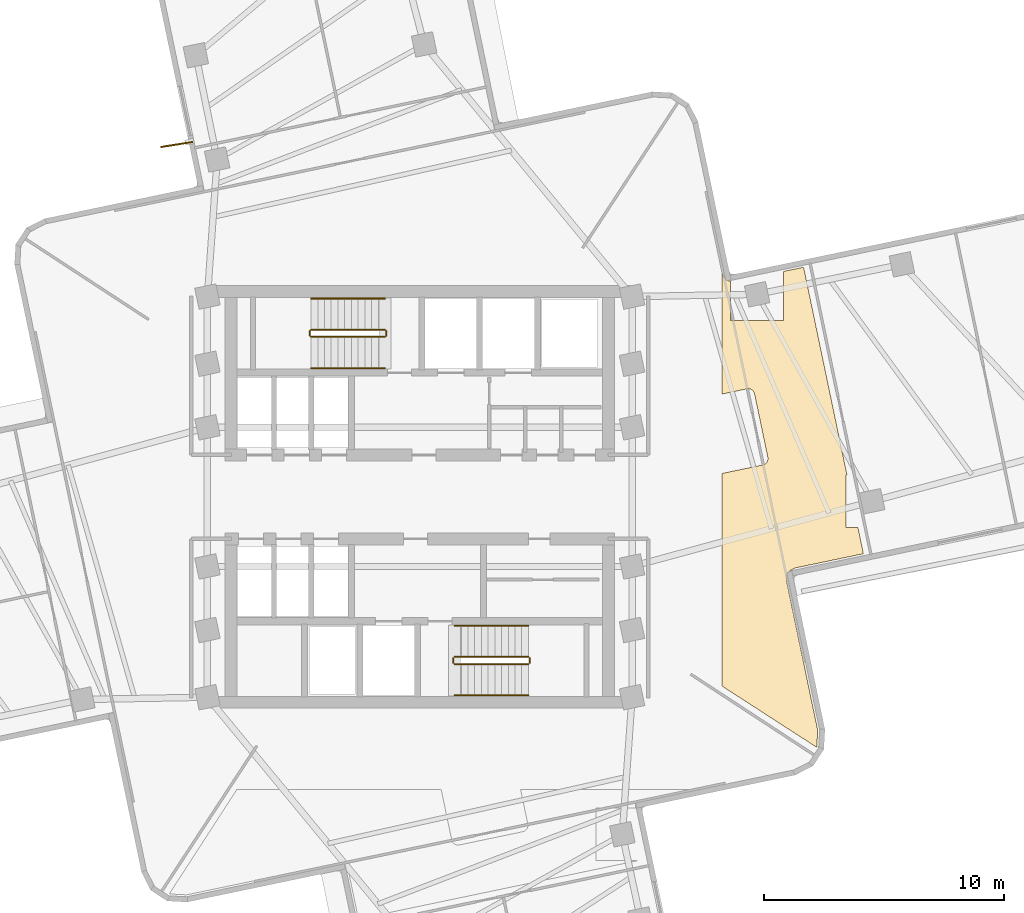
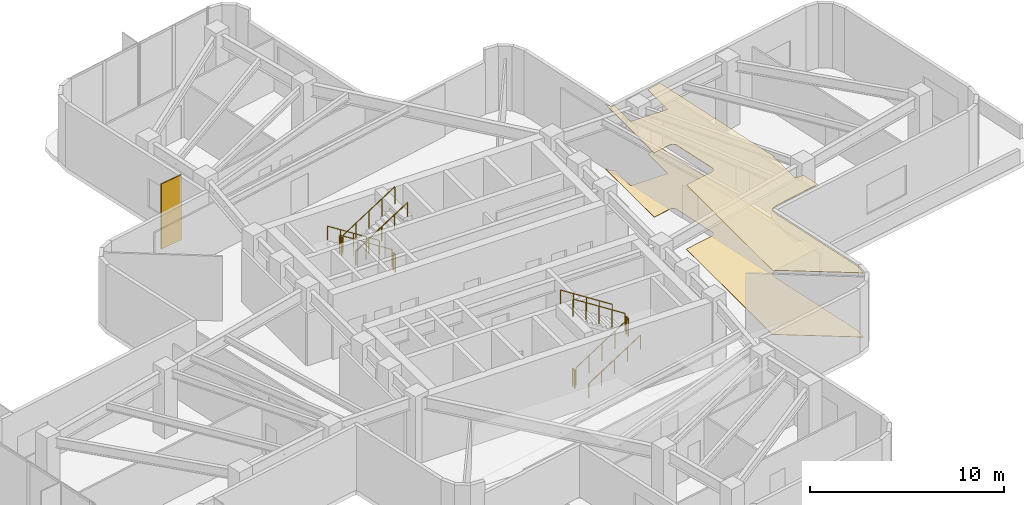
# One storey, part 11 of 12: 12 railings, 2 coverings, 1 shading device.
"""IFC4 building model written with IfcOpenShell, lengths in metres."""

from ifc_helpers import new_model, si_unit, direction, frame, origin, origin_2d, place, context, subcontext, project, spatial, polyline, rectangle, circle, outline, extrude, material, layer, layer_set, type_object, element, save


model = new_model("IFC4")

# Units and contexts
model_context = context("Model", 3, precision=1e-05, world=origin(), true_north=direction((0.0, 1.0)))
body_context = subcontext(model_context, "Body", "Model", "MODEL_VIEW")
ifc_project = project(units=[si_unit("LENGTHUNIT", "METRE"), si_unit("AREAUNIT", "SQUARE_METRE"), si_unit("VOLUMEUNIT", "CUBIC_METRE"), si_unit("PLANEANGLEUNIT", "RADIAN"), si_unit("MASSUNIT", "GRAM", prefix="KILO")], contexts=[model_context])

# Site, building, storey
site_placement = place(None, origin())
site = spatial("IfcSite", under=ifc_project, at=site_placement, CompositionType="ELEMENT")
building_placement = place(site_placement, origin())
building = spatial("IfcBuilding", under=site, at=building_placement, Name="Solmarez Civic Tower", CompositionType="ELEMENT")
storey_placement = place(building_placement, frame((0.0, 0.0, 111.9599609375)))
storey = spatial("IfcBuildingStorey", under=building, at=storey_placement, Name="L29", CompositionType="ELEMENT", Elevation=111.9599609375)

# Coverings
ifc_material_1 = material(Name="Perforated Mineral-Fibre Acoustic Ceiling")
ifc_layer_1 = layer(ifc_material_1, 0.02490234375)
ifc_layer_set_1 = layer_set([ifc_layer_1], Name="Perforated Mineral-Fibre Acoustic Ceiling")
covering_type_1 = type_object("IfcCoveringType", Name="COV-CEIL-ACOUSTIC", PredefinedType="CEILING", material=ifc_layer_set_1)
covering_1_placement = place(storey_placement, frame((0.0, 0.0, 4.03515625)))
element("IfcCovering", 1, at=covering_1_placement, inside=storey, type_object=covering_type_1, Name="L29 Suspended Acoustic Ceiling 1", PredefinedType="CEILING", context=body_context, shape_type="SweptSolid", body=[
    extrude(outline(polyline([(12.81201171875, 9.037109375), (12.7958984375, 9.047119140625), (12.780029296875, 9.05908203125), (12.77392578125, 9.06396484375), (12.759033203125, 9.076904296875), (12.75390625, 9.08203125), (12.740966796875, 9.096923828125), (12.736083984375, 9.10302734375), (12.721923828125, 9.1220703125), (12.718017578125, 9.1279296875), (12.7099609375, 9.14111328125), (12.7060546875, 9.14794921875), (12.700927734375, 9.156982421875), (12.623046875, 9.31005859375), (12.616943359375, 9.322998046875), (12.614013671875, 9.330078125), (12.60693359375, 9.346923828125), (12.60498046875, 9.35302734375), (12.60205078125, 9.363037109375), (12.60009765625, 9.37109375), (12.60009765625, 4.2880859375), (13.638916015625, 4.5048828125), (13.64404296875, 4.506103515625), (13.6650390625, 4.509033203125), (13.68701171875, 4.510009765625), (13.696044921875, 4.510009765625), (13.718017578125, 4.509033203125), (13.739013671875, 4.506103515625), (13.743896484375, 4.5048828125), (13.7490234375, 4.50390625), (13.76904296875, 4.4990234375), (13.7880859375, 4.491943359375), (13.79296875, 4.489990234375), (13.80908203125, 4.48291015625), (13.81689453125, 4.47900390625), (13.8349609375, 4.468994140625), (13.85498046875, 4.455078125), (13.87890625, 4.43505859375), (13.885986328125, 4.427978515625), (13.908935546875, 4.39990234375), (13.919921875, 4.385009765625), (13.925048828125, 4.376953125), (13.93408203125, 4.360107421875), (13.94189453125, 4.342041015625), (13.944091796875, 4.3369140625), (13.950927734375, 4.318115234375), (13.95703125, 4.2939453125), (14.510009765625, 1.64990234375), (14.510986328125, 1.64501953125), (14.513916015625, 1.6240234375), (14.514892578125, 1.60205078125), (14.514892578125, 1.593017578125), (14.513916015625, 1.571044921875), (14.510986328125, 1.550048828125), (14.510009765625, 1.544921875), (14.509033203125, 1.5400390625), (14.50390625, 1.52001953125), (14.4970703125, 1.5009765625), (14.4951171875, 1.49609375), (14.488037109375, 1.47998046875), (14.48388671875, 1.471923828125), (14.47412109375, 1.4541015625), (14.462890625, 1.43798828125), (14.45703125, 1.429931640625), (14.444091796875, 1.4140625), (14.428955078125, 1.39892578125), (14.4130859375, 1.385986328125), (14.405029296875, 1.3798828125), (14.389892578125, 1.368896484375), (14.382080078125, 1.364013671875), (14.364990234375, 1.35498046875), (14.346923828125, 1.346923828125), (14.342041015625, 1.344970703125), (14.322998046875, 1.337890625), (14.299072265625, 1.33203125), (12.60009765625, 0.97705078125), (12.60009765625, -7.885986328125), (16.5458984375, -10.43701171875), (16.550048828125, -10.430908203125), (16.589111328125, -9.72412109375), (15.301025390625, -3.556884765625), (15.298095703125, -3.54296875), (15.297119140625, -3.535888671875), (15.2958984375, -3.529052734375), (15.2939453125, -3.498046875), (15.2939453125, -3.490966796875), (15.2939453125, -3.47802734375), (15.303955078125, -3.305908203125), (15.305908203125, -3.2880859375), (15.306884765625, -3.282958984375), (15.30810546875, -3.277099609375), (15.31103515625, -3.256103515625), (15.31689453125, -3.237060546875), (15.322998046875, -3.218017578125), (15.327880859375, -3.205078125), (15.340087890625, -3.180908203125), (15.343994140625, -3.174072265625), (15.35205078125, -3.160888671875), (15.35595703125, -3.155029296875), (15.3701171875, -3.135986328125), (15.375, -3.1298828125), (15.3798828125, -3.1240234375), (15.39404296875, -3.10888671875), (15.409912109375, -3.093994140625), (15.4208984375, -3.0859375), (15.43603515625, -3.074951171875), (15.451904296875, -3.06494140625), (15.458984375, -3.06103515625), (15.468994140625, -3.054931640625), (15.6220703125, -2.97802734375), (15.634033203125, -2.972900390625), (15.64111328125, -2.969970703125), (15.657958984375, -2.962890625), (15.6640625, -2.9609375), (15.674072265625, -2.9580078125), (15.680908203125, -2.9560546875), (15.696044921875, -2.952880859375), (18.4951171875, -2.367919921875), (18.26806640625, -1.282958984375), (17.760009765625, -1.282958984375), (17.760009765625, 0.9169921875), (17.80908203125, 0.9169921875), (16.0009765625, 9.574951171875), (15.1640625, 9.39990234375), (15.1640625, 7.344970703125), (12.964111328125, 7.344970703125), (12.964111328125, 8.992919921875), (12.950927734375, 8.992919921875), (12.93701171875, 8.9951171875), (12.925048828125, 8.99609375), (12.91796875, 8.9970703125), (12.89599609375, 9.001953125), (12.887939453125, 9.00390625), (12.87109375, 9.009033203125), (12.85400390625, 9.014892578125), (12.846923828125, 9.01806640625), (12.8291015625, 9.027099609375), (12.81201171875, 9.037109375)])), origin(), (0.0, 0.0, 1.0), 0.02490234375),
])
ifc_material_2 = material(Name="Polished Tropical Stone Terrazzo Flooring", Category="masonry")
ifc_layer_2 = layer(ifc_material_2, 0.02001953125)
ifc_layer_set_2 = layer_set([ifc_layer_2], Name="Polished Tropical Stone Terrazzo Flooring")
covering_type_2 = type_object("IfcCoveringType", Name="COV-FLOOR-TERRAZZO", PredefinedType="FLOORING", material=ifc_layer_set_2)
covering_2_placement = place(storey_placement, origin())
element("IfcCovering", 2, at=covering_2_placement, inside=storey, type_object=covering_type_2, Name="L29 Terrazzo Floor Finish 1", PredefinedType="FLOORING", context=body_context, shape_type="SweptSolid", body=[
    extrude(outline(polyline([(12.81201171875, 9.037109375), (12.7958984375, 9.047119140625), (12.780029296875, 9.05908203125), (12.77392578125, 9.06396484375), (12.759033203125, 9.076904296875), (12.75390625, 9.08203125), (12.740966796875, 9.096923828125), (12.736083984375, 9.10302734375), (12.721923828125, 9.1220703125), (12.718017578125, 9.1279296875), (12.7099609375, 9.14111328125), (12.7060546875, 9.14794921875), (12.700927734375, 9.156982421875), (12.623046875, 9.31005859375), (12.616943359375, 9.322998046875), (12.614013671875, 9.330078125), (12.60693359375, 9.346923828125), (12.60498046875, 9.35302734375), (12.60205078125, 9.363037109375), (12.60009765625, 9.37109375), (12.60009765625, 4.2880859375), (13.638916015625, 4.5048828125), (13.64404296875, 4.506103515625), (13.6650390625, 4.509033203125), (13.68701171875, 4.510009765625), (13.696044921875, 4.510009765625), (13.718017578125, 4.509033203125), (13.739013671875, 4.506103515625), (13.743896484375, 4.5048828125), (13.7490234375, 4.50390625), (13.76904296875, 4.4990234375), (13.7880859375, 4.491943359375), (13.79296875, 4.489990234375), (13.80908203125, 4.48291015625), (13.81689453125, 4.47900390625), (13.8349609375, 4.468994140625), (13.85498046875, 4.455078125), (13.87890625, 4.43505859375), (13.885986328125, 4.427978515625), (13.908935546875, 4.39990234375), (13.919921875, 4.385009765625), (13.925048828125, 4.376953125), (13.93408203125, 4.360107421875), (13.94189453125, 4.342041015625), (13.944091796875, 4.3369140625), (13.950927734375, 4.318115234375), (13.95703125, 4.2939453125), (14.510009765625, 1.64990234375), (14.510986328125, 1.64501953125), (14.513916015625, 1.6240234375), (14.514892578125, 1.60205078125), (14.514892578125, 1.593017578125), (14.513916015625, 1.571044921875), (14.510986328125, 1.550048828125), (14.510009765625, 1.544921875), (14.509033203125, 1.5400390625), (14.50390625, 1.52001953125), (14.4970703125, 1.5009765625), (14.4951171875, 1.49609375), (14.488037109375, 1.47998046875), (14.48388671875, 1.471923828125), (14.47412109375, 1.4541015625), (14.462890625, 1.43798828125), (14.45703125, 1.429931640625), (14.444091796875, 1.4140625), (14.428955078125, 1.39892578125), (14.4130859375, 1.385986328125), (14.405029296875, 1.3798828125), (14.389892578125, 1.368896484375), (14.382080078125, 1.364013671875), (14.364990234375, 1.35498046875), (14.346923828125, 1.346923828125), (14.342041015625, 1.344970703125), (14.322998046875, 1.337890625), (14.299072265625, 1.33203125), (12.60009765625, 0.97705078125), (12.60009765625, -7.885986328125), (16.5458984375, -10.43701171875), (16.550048828125, -10.430908203125), (16.589111328125, -9.72412109375), (15.301025390625, -3.556884765625), (15.298095703125, -3.54296875), (15.297119140625, -3.535888671875), (15.2958984375, -3.529052734375), (15.2939453125, -3.498046875), (15.2939453125, -3.490966796875), (15.2939453125, -3.47802734375), (15.303955078125, -3.305908203125), (15.305908203125, -3.2880859375), (15.306884765625, -3.282958984375), (15.30810546875, -3.277099609375), (15.31103515625, -3.256103515625), (15.31689453125, -3.237060546875), (15.322998046875, -3.218017578125), (15.327880859375, -3.205078125), (15.340087890625, -3.180908203125), (15.343994140625, -3.174072265625), (15.35205078125, -3.160888671875), (15.35595703125, -3.155029296875), (15.3701171875, -3.135986328125), (15.375, -3.1298828125), (15.3798828125, -3.1240234375), (15.39404296875, -3.10888671875), (15.409912109375, -3.093994140625), (15.4208984375, -3.0859375), (15.43603515625, -3.074951171875), (15.451904296875, -3.06494140625), (15.458984375, -3.06103515625), (15.468994140625, -3.054931640625), (15.6220703125, -2.97802734375), (15.634033203125, -2.972900390625), (15.64111328125, -2.969970703125), (15.657958984375, -2.962890625), (15.6640625, -2.9609375), (15.674072265625, -2.9580078125), (15.680908203125, -2.9560546875), (15.696044921875, -2.952880859375), (18.4951171875, -2.367919921875), (18.26806640625, -1.282958984375), (17.760009765625, -1.282958984375), (17.760009765625, 0.9169921875), (17.80908203125, 0.9169921875), (16.0009765625, 9.574951171875), (15.1640625, 9.39990234375), (15.1640625, 7.344970703125), (12.964111328125, 7.344970703125), (12.964111328125, 8.992919921875), (12.950927734375, 8.992919921875), (12.93701171875, 8.9951171875), (12.925048828125, 8.99609375), (12.91796875, 8.9970703125), (12.89599609375, 9.001953125), (12.887939453125, 9.00390625), (12.87109375, 9.009033203125), (12.85400390625, 9.014892578125), (12.846923828125, 9.01806640625), (12.8291015625, 9.027099609375), (12.81201171875, 9.037109375)])), origin(), (0.0, 0.0, 1.0), 0.02001953125),
])

# Shading device
ifc_material_3 = material(Name="Bronze Anodised Aluminium EN AW-6063 T6", Category="aluminium")
ifc_layer_3 = layer(ifc_material_3, 0.06005859375)
ifc_layer_set_3 = layer_set([ifc_layer_3], Name="Bronze Anodised Aluminium EN AW-6063 T6")
shading_device_type = type_object("IfcShadingDeviceType", Name="FIN-BRONZE-Z34", PredefinedType="USERDEFINED", material=ifc_layer_set_3)
shading_device_placement = place(storey_placement, frame((-10.133056640625, 14.69091796875, -0.0400390625), z_axis=(0.0, 0.0, 1.0), x_axis=(-0.987386187922, -0.158330401065, 0.0)))
element("IfcShadingDevice", 3, at=shading_device_placement, inside=storey, type_object=shading_device_type, Name="L29 Anodised Bronze Solar Fin FIN-L29-04", ObjectType="FIN", PredefinedType="USERDEFINED", context=body_context, shape_type="SweptSolid", body=[
    extrude(rectangle(XDim=1.35009765625, YDim=0.06005859375, at=origin_2d()), origin(), (0.0, 0.0, 1.0), 4.10009765625),
])

# Railings
ifc_material_4 = material(Name="Painted Steel Stairwell Safety Guard", Category="steel")
railing_type_1 = type_object("IfcRailingType", Name="GUARD-STAIR-1120", PredefinedType="BALUSTRADE", material=ifc_material_4)
railing_1_placement = place(storey_placement, frame((-1.449951171875, 6.969970703125, 0.179931640625)))
element("IfcRailing", 4, at=railing_1_placement, inside=storey, type_object=railing_type_1, Name="L29 ST-1 stair guard 1", PredefinedType="BALUSTRADE", context=body_context, shape_type="SweptSolid", body=[
    extrude(circle(Radius=0.02392578125, at=origin_2d()), frame((0.0, 0.0, 1.09619140625), z_axis=(-0.84115681173, 0.0, 0.540791288835), x_axis=(0.0, -1.0, 0.0)), (0.0, 0.0, 1.0), 3.66162109375),
    extrude(circle(Radius=0.02099609375, at=origin_2d()), origin(), (0.0, 0.0, 1.0), 1.072021484375),
    extrude(circle(Radius=0.02099609375, at=origin_2d()), frame((-0.77001953125, 0.0, 0.4951171875)), (0.0, 0.0, 1.0), 1.072021484375),
    extrude(circle(Radius=0.02099609375, at=origin_2d()), frame((-1.5400390625, 0.0, 0.990234375)), (0.0, 0.0, 1.0), 1.072021484375),
    extrude(circle(Radius=0.02099609375, at=origin_2d()), frame((-2.31005859375, 0.0, 1.485107421875)), (0.0, 0.0, 1.0), 1.072021484375),
    extrude(circle(Radius=0.02099609375, at=origin_2d()), frame((-3.080078125, 0.0, 1.980224609375)), (0.0, 0.0, 1.0), 1.072021484375),
])
railing_2_placement = place(storey_placement, frame((-4.580078125, 6.919921875, 2.16015625)))
element("IfcRailing", 5, at=railing_2_placement, inside=storey, type_object=railing_type_1, Name="L29 ST-1 stair guard 2", PredefinedType="BALUSTRADE", context=body_context, shape_type="SweptSolid", body=[
    extrude(circle(Radius=0.02392578125, at=origin_2d()), frame((0.0, 0.0, 1.09619140625), z_axis=(0.0, -1.0, 0.0), x_axis=(1.0, 0.0, 0.0)), (0.0, 0.0, 1.0), 0.199951171875),
    extrude(circle(Radius=0.02099609375, at=origin_2d()), origin(), (0.0, 0.0, 1.0), 1.072021484375),
    extrude(circle(Radius=0.02099609375, at=origin_2d()), frame((0.0, -0.199951171875, 0.0)), (0.0, 0.0, 1.0), 1.072021484375),
])
railing_3_placement = place(storey_placement, frame((-4.530029296875, 6.669921875, 2.340087890625)))
element("IfcRailing", 6, at=railing_3_placement, inside=storey, type_object=railing_type_1, Name="L29 ST-1 stair guard 3", PredefinedType="BALUSTRADE", context=body_context, shape_type="SweptSolid", body=[
    extrude(circle(Radius=0.02392578125, at=origin_2d()), frame((0.0, 0.0, 1.09619140625), z_axis=(0.84118714077, 0.0, 0.540744111576), x_axis=(0.0, 1.0, 0.0)), (0.0, 0.0, 1.0), 3.66162109375),
    extrude(circle(Radius=0.02099609375, at=origin_2d()), origin(), (0.0, 0.0, 1.0), 1.072021484375),
    extrude(circle(Radius=0.02099609375, at=origin_2d()), frame((0.77001953125, 0.0, 0.4951171875)), (0.0, 0.0, 1.0), 1.072021484375),
    extrude(circle(Radius=0.02099609375, at=origin_2d()), frame((1.5400390625, 0.0, 0.989990234375)), (0.0, 0.0, 1.0), 1.072021484375),
    extrude(circle(Radius=0.02099609375, at=origin_2d()), frame((2.31005859375, 0.0, 1.48486328125)), (0.0, 0.0, 1.0), 1.072021484375),
    extrude(circle(Radius=0.02099609375, at=origin_2d()), frame((3.080078125, 0.0, 1.97998046875)), (0.0, 0.0, 1.0), 1.072021484375),
])
railing_4_placement = place(storey_placement, frame((-1.39990234375, 6.919921875, 0.0)))
element("IfcRailing", 7, at=railing_4_placement, inside=storey, type_object=railing_type_1, Name="L29 ST-1 stair guard 4", PredefinedType="BALUSTRADE", context=body_context, shape_type="SweptSolid", body=[
    extrude(circle(Radius=0.02392578125, at=origin_2d()), frame((0.0, 0.0, 1.09619140625), z_axis=(0.0, -1.0, 0.0), x_axis=(1.0, 0.0, 0.0)), (0.0, 0.0, 1.0), 0.199951171875),
    extrude(circle(Radius=0.02099609375, at=origin_2d()), origin(), (0.0, 0.0, 1.0), 1.072021484375),
    extrude(circle(Radius=0.02099609375, at=origin_2d()), frame((0.0, -0.199951171875, 0.0)), (0.0, 0.0, 1.0), 1.072021484375),
])
railing_5_placement = place(storey_placement, frame((1.449951171875, -6.969970703125, 0.179931640625)))
element("IfcRailing", 8, at=railing_5_placement, inside=storey, type_object=railing_type_1, Name="L29 ST-2 stair guard 1", PredefinedType="BALUSTRADE", context=body_context, shape_type="SweptSolid", body=[
    extrude(circle(Radius=0.02392578125, at=origin_2d()), frame((0.0, 0.0, 1.09619140625), z_axis=(0.84115681173, 0.0, 0.540791288835), x_axis=(0.0, 1.0, 0.0)), (0.0, 0.0, 1.0), 3.66162109375),
    extrude(circle(Radius=0.02099609375, at=origin_2d()), origin(), (0.0, 0.0, 1.0), 1.072021484375),
    extrude(circle(Radius=0.02099609375, at=origin_2d()), frame((0.77001953125, 0.0, 0.4951171875)), (0.0, 0.0, 1.0), 1.072021484375),
    extrude(circle(Radius=0.02099609375, at=origin_2d()), frame((1.5400390625, 0.0, 0.990234375)), (0.0, 0.0, 1.0), 1.072021484375),
    extrude(circle(Radius=0.02099609375, at=origin_2d()), frame((2.31005859375, 0.0, 1.485107421875)), (0.0, 0.0, 1.0), 1.072021484375),
    extrude(circle(Radius=0.02099609375, at=origin_2d()), frame((3.080078125, 0.0, 1.980224609375)), (0.0, 0.0, 1.0), 1.072021484375),
])
railing_6_placement = place(storey_placement, frame((4.580078125, -6.919921875, 2.16015625)))
element("IfcRailing", 9, at=railing_6_placement, inside=storey, type_object=railing_type_1, Name="L29 ST-2 stair guard 2", PredefinedType="BALUSTRADE", context=body_context, shape_type="SweptSolid", body=[
    extrude(circle(Radius=0.02392578125, at=origin_2d()), frame((0.0, 0.0, 1.09619140625), z_axis=(0.0, 1.0, 0.0), x_axis=(-1.0, 0.0, 0.0)), (0.0, 0.0, 1.0), 0.199951171875),
    extrude(circle(Radius=0.02099609375, at=origin_2d()), origin(), (0.0, 0.0, 1.0), 1.072021484375),
    extrude(circle(Radius=0.02099609375, at=origin_2d()), frame((0.0, 0.199951171875, 0.0)), (0.0, 0.0, 1.0), 1.072021484375),
])
railing_7_placement = place(storey_placement, frame((4.530029296875, -6.669921875, 2.340087890625)))
element("IfcRailing", 10, at=railing_7_placement, inside=storey, type_object=railing_type_1, Name="L29 ST-2 stair guard 3", PredefinedType="BALUSTRADE", context=body_context, shape_type="SweptSolid", body=[
    extrude(circle(Radius=0.02392578125, at=origin_2d()), frame((0.0, 0.0, 1.09619140625), z_axis=(-0.84118714077, 0.0, 0.540744111576), x_axis=(0.0, -1.0, 0.0)), (0.0, 0.0, 1.0), 3.66162109375),
    extrude(circle(Radius=0.02099609375, at=origin_2d()), origin(), (0.0, 0.0, 1.0), 1.072021484375),
    extrude(circle(Radius=0.02099609375, at=origin_2d()), frame((-0.77001953125, 0.0, 0.4951171875)), (0.0, 0.0, 1.0), 1.072021484375),
    extrude(circle(Radius=0.02099609375, at=origin_2d()), frame((-1.5400390625, 0.0, 0.989990234375)), (0.0, 0.0, 1.0), 1.072021484375),
    extrude(circle(Radius=0.02099609375, at=origin_2d()), frame((-2.31005859375, 0.0, 1.48486328125)), (0.0, 0.0, 1.0), 1.072021484375),
    extrude(circle(Radius=0.02099609375, at=origin_2d()), frame((-3.080078125, 0.0, 1.97998046875)), (0.0, 0.0, 1.0), 1.072021484375),
])
railing_8_placement = place(storey_placement, frame((1.39990234375, -6.919921875, 0.0)))
element("IfcRailing", 11, at=railing_8_placement, inside=storey, type_object=railing_type_1, Name="L29 ST-2 stair guard 4", PredefinedType="BALUSTRADE", context=body_context, shape_type="SweptSolid", body=[
    extrude(circle(Radius=0.02392578125, at=origin_2d()), frame((0.0, 0.0, 1.09619140625), z_axis=(0.0, 1.0, 0.0), x_axis=(-1.0, 0.0, 0.0)), (0.0, 0.0, 1.0), 0.199951171875),
    extrude(circle(Radius=0.02099609375, at=origin_2d()), origin(), (0.0, 0.0, 1.0), 1.072021484375),
    extrude(circle(Radius=0.02099609375, at=origin_2d()), frame((0.0, 0.199951171875, 0.0)), (0.0, 0.0, 1.0), 1.072021484375),
])
ifc_material_5 = material(Name="Brushed Stainless Steel Tube Handrail", Category="steel")
railing_type_2 = type_object("IfcRailingType", Name="HANDRAIL-STAIR-900", PredefinedType="HANDRAIL", material=ifc_material_5)
railing_9_placement = place(storey_placement, frame((-1.449951171875, 8.27001953125, 0.179931640625)))
element("IfcRailing", 12, at=railing_9_placement, inside=storey, type_object=railing_type_2, Name="L29 ST-1 stair handrail 1", PredefinedType="HANDRAIL", context=body_context, shape_type="SweptSolid", body=[
    extrude(circle(Radius=0.02392578125, at=origin_2d()), frame((0.0, 0.0, 0.8759765625), z_axis=(-0.84115681173, 0.0, 0.540791288835), x_axis=(0.0, -1.0, 0.0)), (0.0, 0.0, 1.0), 3.66162109375),
    extrude(circle(Radius=0.02099609375, at=origin_2d()), origin(), (0.0, 0.0, 1.0), 0.851806640625),
    extrude(circle(Radius=0.02099609375, at=origin_2d()), frame((-0.77001953125, 0.0, 0.4951171875)), (0.0, 0.0, 1.0), 0.851806640625),
    extrude(circle(Radius=0.02099609375, at=origin_2d()), frame((-1.5400390625, 0.0, 0.990234375)), (0.0, 0.0, 1.0), 0.851806640625),
    extrude(circle(Radius=0.02099609375, at=origin_2d()), frame((-2.31005859375, 0.0, 1.485107421875)), (0.0, 0.0, 1.0), 0.851806640625),
    extrude(circle(Radius=0.02099609375, at=origin_2d()), frame((-3.080078125, 0.0, 1.980224609375)), (0.0, 0.0, 1.0), 0.851806640625),
])
railing_10_placement = place(storey_placement, frame((-4.530029296875, 5.3701171875, 2.340087890625)))
element("IfcRailing", 13, at=railing_10_placement, inside=storey, type_object=railing_type_2, Name="L29 ST-1 stair handrail 2", PredefinedType="HANDRAIL", context=body_context, shape_type="SweptSolid", body=[
    extrude(circle(Radius=0.02392578125, at=origin_2d()), frame((0.0, 0.0, 0.8759765625), z_axis=(0.84118714077, 0.0, 0.540744111576), x_axis=(0.0, 1.0, 0.0)), (0.0, 0.0, 1.0), 3.66162109375),
    extrude(circle(Radius=0.02099609375, at=origin_2d()), origin(), (0.0, 0.0, 1.0), 0.851806640625),
    extrude(circle(Radius=0.02099609375, at=origin_2d()), frame((0.77001953125, 0.0, 0.4951171875)), (0.0, 0.0, 1.0), 0.851806640625),
    extrude(circle(Radius=0.02099609375, at=origin_2d()), frame((1.5400390625, 0.0, 0.989990234375)), (0.0, 0.0, 1.0), 0.851806640625),
    extrude(circle(Radius=0.02099609375, at=origin_2d()), frame((2.31005859375, 0.0, 1.48486328125)), (0.0, 0.0, 1.0), 0.851806640625),
    extrude(circle(Radius=0.02099609375, at=origin_2d()), frame((3.080078125, 0.0, 1.97998046875)), (0.0, 0.0, 1.0), 0.851806640625),
])
railing_11_placement = place(storey_placement, frame((1.449951171875, -8.27001953125, 0.179931640625)))
element("IfcRailing", 14, at=railing_11_placement, inside=storey, type_object=railing_type_2, Name="L29 ST-2 stair handrail 1", PredefinedType="HANDRAIL", context=body_context, shape_type="SweptSolid", body=[
    extrude(circle(Radius=0.02392578125, at=origin_2d()), frame((0.0, 0.0, 0.8759765625), z_axis=(0.84115681173, 0.0, 0.540791288835), x_axis=(0.0, 1.0, 0.0)), (0.0, 0.0, 1.0), 3.66162109375),
    extrude(circle(Radius=0.02099609375, at=origin_2d()), origin(), (0.0, 0.0, 1.0), 0.851806640625),
    extrude(circle(Radius=0.02099609375, at=origin_2d()), frame((0.77001953125, 0.0, 0.4951171875)), (0.0, 0.0, 1.0), 0.851806640625),
    extrude(circle(Radius=0.02099609375, at=origin_2d()), frame((1.5400390625, 0.0, 0.990234375)), (0.0, 0.0, 1.0), 0.851806640625),
    extrude(circle(Radius=0.02099609375, at=origin_2d()), frame((2.31005859375, 0.0, 1.485107421875)), (0.0, 0.0, 1.0), 0.851806640625),
    extrude(circle(Radius=0.02099609375, at=origin_2d()), frame((3.080078125, 0.0, 1.980224609375)), (0.0, 0.0, 1.0), 0.851806640625),
])
railing_12_placement = place(storey_placement, frame((4.530029296875, -5.3701171875, 2.340087890625)))
element("IfcRailing", 15, at=railing_12_placement, inside=storey, type_object=railing_type_2, Name="L29 ST-2 stair handrail 2", PredefinedType="HANDRAIL", context=body_context, shape_type="SweptSolid", body=[
    extrude(circle(Radius=0.02392578125, at=origin_2d()), frame((0.0, 0.0, 0.8759765625), z_axis=(-0.84118714077, 0.0, 0.540744111576), x_axis=(0.0, -1.0, 0.0)), (0.0, 0.0, 1.0), 3.66162109375),
    extrude(circle(Radius=0.02099609375, at=origin_2d()), origin(), (0.0, 0.0, 1.0), 0.851806640625),
    extrude(circle(Radius=0.02099609375, at=origin_2d()), frame((-0.77001953125, 0.0, 0.4951171875)), (0.0, 0.0, 1.0), 0.851806640625),
    extrude(circle(Radius=0.02099609375, at=origin_2d()), frame((-1.5400390625, 0.0, 0.989990234375)), (0.0, 0.0, 1.0), 0.851806640625),
    extrude(circle(Radius=0.02099609375, at=origin_2d()), frame((-2.31005859375, 0.0, 1.48486328125)), (0.0, 0.0, 1.0), 0.851806640625),
    extrude(circle(Radius=0.02099609375, at=origin_2d()), frame((-3.080078125, 0.0, 1.97998046875)), (0.0, 0.0, 1.0), 0.851806640625),
])

save(model, "model.ifc")
